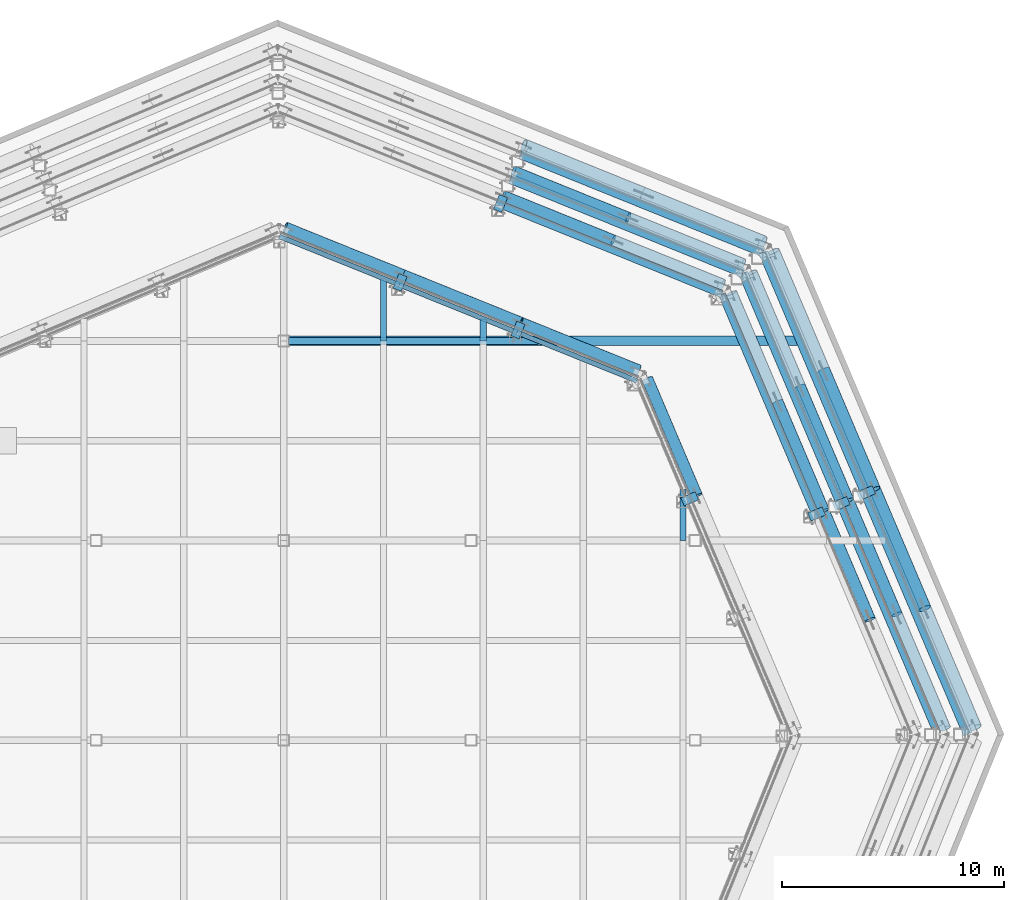
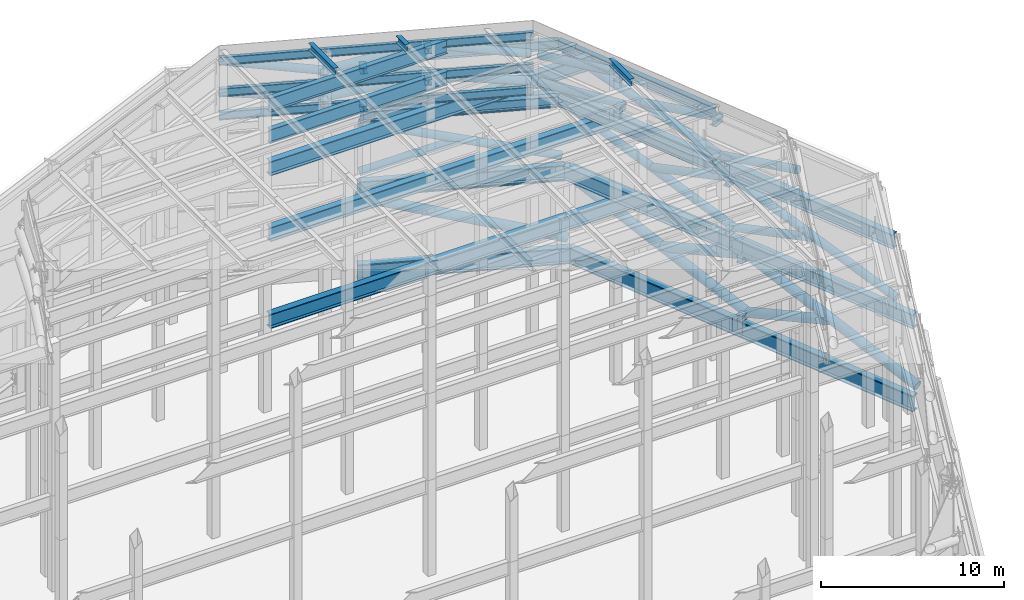
# One storey, part 12 of 19: 38 members, 32 beams.
"""IFC4 building model written with IfcOpenShell, lengths in metres."""

import ifcopenshell
import ifcopenshell.guid

model = None  # the IFC model being written
_history = None  # IfcOwnerHistory: only IFC2X3 demands one
_inside = {}  # id of a spatial element -> (the spatial element, [elements in it])
_under = {}  # id of a project, library or spatial element -> (it, [spatial elements below it])
_declared = {}  # id of a project -> (the project, [libraries it declares])
_typed = {}  # id of a type object -> (the type object, [elements of that type])
_made_of = {}  # id of a material, layer set ... -> (it, [elements and type objects made of it])


def new_model(schema):
    """Start an empty IFC model of exactly this schema.

    Asked for "IFC4X3", IfcOpenShell would pick the latest addendum, in which some entities
    have other attributes; the version numbers below select the first issue.
    IFC2X3 requires an IfcOwnerHistory on every rooted entity: one is made here for all.
    """
    global model, _history
    if schema == "IFC4X3":
        model = ifcopenshell.file(schema_version=(4, 3, 0, 0))
    else:
        model = ifcopenshell.file(schema=schema)
    _inside.clear()
    _under.clear()
    _declared.clear()
    _typed.clear()
    _made_of.clear()
    _history = None
    if model.schema == "IFC2X3":
        org = make("IfcOrganization", Name="unknown")
        user = make(
            "IfcPersonAndOrganization",
            ThePerson=make("IfcPerson", FamilyName="unknown"),
            TheOrganization=org,
        )
        app = make(
            "IfcApplication",
            ApplicationDeveloper=org,
            Version="unknown",
            ApplicationFullName="unknown",
            ApplicationIdentifier="unknown",
        )
        _history = make(
            "IfcOwnerHistory",
            OwningUser=user,
            OwningApplication=app,
            ChangeAction="ADDED",
            CreationDate=0,
        )
    return model


def make(cls, **values):
    """One entity of the class cls with the attributes given. An attribute that is None is left unset."""
    return model.create_entity(
        cls, **{name: value for name, value in values.items() if value is not None}
    )


def rooted(cls, **values):
    """An entity with a GlobalId (a new one), such as an element, a storey or a relation."""
    return make(cls, GlobalId=ifcopenshell.guid.new(), OwnerHistory=_history, **values)


def si_unit(unit_type, name, prefix=None):
    """IfcSIUnit, for example si_unit("LENGTHUNIT", "METRE", prefix="MILLI")."""
    return make("IfcSIUnit", UnitType=unit_type, Prefix=prefix, Name=name)


def assignment(units):
    """IfcUnitAssignment: the units of a project."""
    return None if units is None else make("IfcUnitAssignment", Units=units)


def point(xyz):
    """IfcCartesianPoint."""
    return None if xyz is None else make("IfcCartesianPoint", Coordinates=xyz)


def direction(xyz):
    """IfcDirection."""
    return None if xyz is None else make("IfcDirection", DirectionRatios=xyz)


def frame(location, z_axis=None, x_axis=None):
    """IfcAxis2Placement3D, a coordinate frame: its origin and axes. An axis left out is left unset."""
    return make(
        "IfcAxis2Placement3D",
        Location=point(location),
        Axis=direction(z_axis),
        RefDirection=direction(x_axis),
    )


def frame_2d(location, x_axis=None):
    """IfcAxis2Placement2D, a coordinate frame in the plane: its origin and x axis."""
    return make(
        "IfcAxis2Placement2D", Location=point(location), RefDirection=direction(x_axis)
    )


def origin():
    """The frame at (0, 0, 0) with its axes left unset."""
    return frame((0.0, 0.0, 0.0))


def origin_2d():
    """The frame at (0, 0) in the plane with its x axis left unset."""
    return frame_2d((0.0, 0.0))


def place(relative_to, where):
    """IfcLocalPlacement: puts the frame where relative to a parent placement (None: the world)."""
    return make(
        "IfcLocalPlacement", PlacementRelTo=relative_to, RelativePlacement=where
    )


def context(
    kind, dimensions, precision=None, world=None, true_north=None, identifier=None
):
    """IfcGeometricRepresentationContext, for example the 3D "Model" context."""
    return make(
        "IfcGeometricRepresentationContext",
        ContextIdentifier=identifier,
        ContextType=kind,
        CoordinateSpaceDimension=dimensions,
        Precision=precision,
        WorldCoordinateSystem=world,
        TrueNorth=true_north,
    )


def subcontext(parent, identifier, kind, view, scale=None):
    """IfcGeometricRepresentationSubContext, for example "Body" below "Model"."""
    return make(
        "IfcGeometricRepresentationSubContext",
        ContextIdentifier=identifier,
        ContextType=kind,
        ParentContext=parent,
        TargetScale=scale,
        TargetView=view,
    )


def project(units=None, contexts=None):
    """IfcProject with its units and contexts."""
    return rooted(
        "IfcProject",
        Name="project",
        RepresentationContexts=contexts,
        UnitsInContext=assignment(units),
    )


def spatial(cls, under=None, at=None, **own):
    """A site, building, storey or space (cls), placed at a placement, below another one or the project."""
    s = rooted(cls, ObjectPlacement=at, **own)
    if under is not None:
        _under.setdefault(under.id(), (under, []))[1].append(s)
    return s


def profile(cls, at=None, kind="AREA", **sizes):
    """A parametric profile (cls). Its sizes go by their IFC names, for example OverallWidth=200.0."""
    return make(cls, ProfileType=kind, Position=at, **sizes)


def hollow_circle(**sizes):
    """IfcCircleHollowProfileDef."""
    return profile("IfcCircleHollowProfileDef", **sizes)


def i_section(**sizes):
    """IfcIShapeProfileDef."""
    return profile("IfcIShapeProfileDef", **sizes)


def extrude(swept, where, along, depth):
    """IfcExtrudedAreaSolid: the profile swept, set in the frame where, extruded along a direction by depth."""
    return make(
        "IfcExtrudedAreaSolid",
        SweptArea=swept,
        Position=where,
        ExtrudedDirection=direction(along),
        Depth=depth,
    )


def shape(context_of_items, identifier, shape_type, items):
    """IfcShapeRepresentation: the items that make up one representation, for example the "Body"."""
    return make(
        "IfcShapeRepresentation",
        ContextOfItems=context_of_items,
        RepresentationIdentifier=identifier,
        RepresentationType=shape_type,
        Items=items,
    )


def material(Name=None, Category=None):
    """IfcMaterial."""
    return make("IfcMaterial", Name=Name, Category=Category)


def material_profile(
    of_material, cross_section, Name=None, Category=None, Priority=None
):
    """IfcMaterialProfile: a cross section and its material."""
    return make(
        "IfcMaterialProfile",
        Name=Name,
        Material=of_material,
        Profile=cross_section,
        Priority=Priority,
        Category=Category,
    )


def profile_set(profiles, Name=None, composite=None):
    """IfcMaterialProfileSet."""
    return make(
        "IfcMaterialProfileSet",
        Name=Name,
        MaterialProfiles=profiles,
        CompositeProfile=composite,
    )


def made_of(thing, what):
    """Note that an element or type object is made of a material, layer set ...; save() writes the relation."""
    if what is not None:
        _made_of.setdefault(what.id(), (what, []))[1].append(thing)
    return thing


def type_object(cls, material=None, **own):
    """A type object (cls), such as IfcWallType, which elements share."""
    return made_of(rooted(cls, **own), material)


def element(
    cls,
    number,
    at=None,
    inside=None,
    cuts=None,
    type_object=None,
    material=None,
    context=None,
    identifier="Body",
    shape_type=None,
    held_by="IfcProductDefinitionShape",
    body=None,
    shapes=None,
    **own,
):
    """One element of the class cls, such as IfcWall. Its Tag is "e" and its number.

    at: its placement. inside: the storey or other place that contains it. cuts: it is an
    opening in that element (IfcRelVoidsElement). A single representation is given by context,
    identifier, shape_type and body (its items); several are given by shapes. held_by: the class
    of the entity that holds the representations. save() writes the other relations.
    """
    e = rooted(cls, Tag="e%d" % number, ObjectPlacement=at, **own)
    if body is not None:
        shapes = [shape(context, identifier, shape_type, body)]
    if shapes is not None:
        e.Representation = make(held_by, Representations=shapes)
    if inside is not None:
        _inside.setdefault(inside.id(), (inside, []))[1].append(e)
    if cuts is not None:
        rooted(
            "IfcRelVoidsElement", RelatingBuildingElement=cuts, RelatedOpeningElement=e
        )
    if type_object is not None:
        _typed.setdefault(type_object.id(), (type_object, []))[1].append(e)
    return made_of(e, material)


def aggregate(whole, parts):
    """IfcRelAggregates: a whole, such as a stair, and the parts it consists of."""
    return rooted("IfcRelAggregates", RelatingObject=whole, RelatedObjects=parts)


def save(model, path):
    """Write the relations noted so far, then the file.

    IfcRelAggregates (storeys below a building ...), IfcRelContainedInSpatialStructure (elements
    in a storey), IfcRelDefinesByType, IfcRelAssociatesMaterial and IfcRelDeclares: one each for
    every whole, place, type object, material and project.
    """
    for whole, parts in _under.values():
        aggregate(whole, parts)
    for where, things in _inside.values():
        rooted(
            "IfcRelContainedInSpatialStructure",
            RelatedElements=things,
            RelatingStructure=where,
        )
    for kind, things in _typed.values():
        rooted("IfcRelDefinesByType", RelatedObjects=things, RelatingType=kind)
    for what, things in _made_of.values():
        rooted("IfcRelAssociatesMaterial", RelatedObjects=things, RelatingMaterial=what)
    for by, libraries in _declared.values():
        rooted("IfcRelDeclares", RelatingContext=by, RelatedDefinitions=libraries)
    model.write(path)


model = new_model("IFC4")

# Units and contexts
model_context = context("Model", 3, precision=1e-05, world=origin(), true_north=direction((0.0, 1.0)))
body_context = subcontext(model_context, "Body", "Model", "MODEL_VIEW")
ifc_project = project(units=[si_unit("LENGTHUNIT", "METRE"), si_unit("AREAUNIT", "SQUARE_METRE"), si_unit("VOLUMEUNIT", "CUBIC_METRE"), si_unit("PLANEANGLEUNIT", "RADIAN"), si_unit("MASSUNIT", "GRAM", prefix="KILO")], contexts=[model_context])

# Site, building, storey
site_placement = place(None, origin())
site = spatial("IfcSite", under=ifc_project, at=site_placement, CompositionType="ELEMENT")
building_placement = place(site_placement, origin())
building = spatial("IfcBuilding", under=site, at=building_placement, Name="Orlundy Tower", CompositionType="ELEMENT")
storey_placement = place(building_placement, frame((0.0, 0.0, 304.300048828125)))
storey = spatial("IfcBuildingStorey", under=building, at=storey_placement, Name="Roof", CompositionType="ELEMENT", Elevation=304.300048828125)

# Beams
ifc_material_1 = material(Name="Steel ASTM A992 Gr 50", Category="steel")
ifc_material_profile_1 = material_profile(ifc_material_1, i_section(OverallWidth=0.2802734375, OverallDepth=0.46240234375, WebThickness=0.0107421875, FlangeThickness=0.017333984375, at=origin_2d()), Name="W18X76")
ifc_profile_set_1 = profile_set([ifc_material_profile_1], Name="Steel ASTM A992 Gr 50")
beam_type_1 = type_object("IfcBeamType", Name="CROWN FRAME beam W18X76", PredefinedType="BEAM", material=ifc_profile_set_1)
beam_1_placement = place(storey_placement, frame((4.5, 18.0, 21.131103515625), z_axis=(0.0, 1.0, 0.0), x_axis=(-1.0, 0.0, 0.0)))
element("IfcBeam", 1, at=beam_1_placement, inside=storey, type_object=beam_type_1, Name="CROWN FRAME secondary beam 07F", PredefinedType="BEAM", context=body_context, shape_type="SweptSolid", body=[
    extrude(i_section(OverallWidth=0.2802734375, OverallDepth=0.46240234375, WebThickness=0.0107421875, FlangeThickness=0.017333984375, at=origin_2d()), origin(), (0.0, 0.0, 1.0), 2.81689453125),
])
beam_2_placement = place(storey_placement, frame((9.0, 18.0, 21.131103515625), z_axis=(0.0, 1.0, 0.0), x_axis=(-1.0, 0.0, 0.0)))
element("IfcBeam", 2, at=beam_2_placement, inside=storey, type_object=beam_type_1, Name="CROWN FRAME secondary beam 08F", PredefinedType="BEAM", context=body_context, shape_type="SweptSolid", body=[
    extrude(i_section(OverallWidth=0.2802734375, OverallDepth=0.46240234375, WebThickness=0.0107421875, FlangeThickness=0.017333984375, at=origin_2d()), origin(), (0.0, 0.0, 1.0), 0.998779296875),
])
beam_3_placement = place(storey_placement, frame((18.0, 9.0, 21.131103515625), z_axis=(0.0, 1.0, 0.0), x_axis=(-1.0, 0.0, 0.0)))
element("IfcBeam", 3, at=beam_3_placement, inside=storey, type_object=beam_type_1, Name="CROWN FRAME secondary beam 10D", PredefinedType="BEAM", context=body_context, shape_type="SweptSolid", body=[
    extrude(i_section(OverallWidth=0.2802734375, OverallDepth=0.46240234375, WebThickness=0.0107421875, FlangeThickness=0.017333984375, at=origin_2d()), origin(), (0.0, 0.0, 1.0), 2.306640625),
])
ifc_material_2 = material(Name="Steel ASTM A992 Gr 50", Category="steel")
ifc_material_profile_2 = material_profile(ifc_material_2, i_section(OverallWidth=0.2138671875, OverallDepth=0.549072265625, WebThickness=0.0146484375, FlangeThickness=0.023681640625, at=origin_2d()), Name="W21X93")
ifc_profile_set_2 = profile_set([ifc_material_profile_2], Name="Steel ASTM A992 Gr 50")
beam_type_2 = type_object("IfcBeamType", Name="CROWN FRAME beam W21X93", PredefinedType="BEAM", material=ifc_profile_set_2)
beam_4_placement = place(storey_placement, frame((15.921875, 16.202392578125, 16.974365234375), z_axis=(-0.927191485456, 0.374587705748, 0.0), x_axis=(-0.374587705748, -0.927191485456, 0.0)))
element("IfcBeam", 4, at=beam_4_placement, inside=storey, type_object=beam_type_2, Name="CROWN FRAME foot ring beam 4-01", PredefinedType="BEAM", context=body_context, shape_type="SweptSolid", body=[
    extrude(i_section(OverallWidth=0.2138671875, OverallDepth=0.549072265625, WebThickness=0.0146484375, FlangeThickness=0.023681640625, at=origin_2d()), origin(), (0.0, 0.0, 1.0), 5.82861328125),
])
beam_5_placement = place(storey_placement, frame((10.517578125, 18.3857421875, 16.974365234375), z_axis=(-0.927189754333, 0.374591990651, 0.0), x_axis=(-0.374591990651, -0.927189754333, 0.0)))
element("IfcBeam", 5, at=beam_5_placement, inside=storey, type_object=beam_type_2, Name="CROWN FRAME foot ring beam 4-02", PredefinedType="BEAM", context=body_context, shape_type="SweptSolid", body=[
    extrude(i_section(OverallWidth=0.2138671875, OverallDepth=0.549072265625, WebThickness=0.0146484375, FlangeThickness=0.023681640625, at=origin_2d()), origin(), (0.0, 0.0, 1.0), 5.72900390625),
])
for number, where, z_axis, x_axis, name in (
    (6, (5.205810546875, 20.53173828125, 16.974365234375), (-0.927191485456, 0.374587705748, 0.0), (-0.374587705748, -0.927191485456, 0.0), "CROWN FRAME foot ring beam 4-03"),
    (7, (15.921875, 16.202392578125, 18.525390625), (-0.927191485456, 0.374587705748, 0.0), (-0.374587705748, -0.927191485456, 0.0), "CROWN FRAME head ring beam 4-01"),
):
    element("IfcBeam", number, at=place(storey_placement, frame(where, z_axis=z_axis, x_axis=x_axis)), inside=storey, type_object=beam_type_2, Name=name, PredefinedType="BEAM", context=body_context, shape_type="SweptSolid", body=[
        extrude(i_section(OverallWidth=0.2138671875, OverallDepth=0.549072265625, WebThickness=0.0146484375, FlangeThickness=0.023681640625, at=origin_2d()), origin(), (0.0, 0.0, 1.0), 5.82861328125),
    ])
beam_6_placement = place(storey_placement, frame((10.517578125, 18.3857421875, 18.525390625), z_axis=(-0.927189754333, 0.374591990651, 0.0), x_axis=(-0.374591990651, -0.927189754333, 0.0)))
element("IfcBeam", 8, at=beam_6_placement, inside=storey, type_object=beam_type_2, Name="CROWN FRAME head ring beam 4-02", PredefinedType="BEAM", context=body_context, shape_type="SweptSolid", body=[
    extrude(i_section(OverallWidth=0.2138671875, OverallDepth=0.549072265625, WebThickness=0.0146484375, FlangeThickness=0.023681640625, at=origin_2d()), origin(), (0.0, 0.0, 1.0), 5.72900390625),
])
for number, where, z_axis, x_axis, name in (
    (9, (5.205810546875, 20.53173828125, 18.525390625), (-0.927191485456, 0.374587705748, 0.0), (-0.374587705748, -0.927191485456, 0.0), "CROWN FRAME head ring beam 4-03"),
    (10, (15.921875, 16.202392578125, 20.62548828125), (-0.927191485456, 0.374587705748, 0.0), (-0.374587705748, -0.927191485456, 0.0), "CROWN FRAME head ring beam 5-01"),
):
    element("IfcBeam", number, at=place(storey_placement, frame(where, z_axis=z_axis, x_axis=x_axis)), inside=storey, type_object=beam_type_2, Name=name, PredefinedType="BEAM", context=body_context, shape_type="SweptSolid", body=[
        extrude(i_section(OverallWidth=0.2138671875, OverallDepth=0.549072265625, WebThickness=0.0146484375, FlangeThickness=0.023681640625, at=origin_2d()), origin(), (0.0, 0.0, 1.0), 5.82861328125),
    ])
beam_7_placement = place(storey_placement, frame((10.517578125, 18.3857421875, 20.62548828125), z_axis=(-0.927189754333, 0.374591990651, 0.0), x_axis=(-0.374591990651, -0.927189754333, 0.0)))
element("IfcBeam", 11, at=beam_7_placement, inside=storey, type_object=beam_type_2, Name="CROWN FRAME head ring beam 5-02", PredefinedType="BEAM", context=body_context, shape_type="SweptSolid", body=[
    extrude(i_section(OverallWidth=0.2138671875, OverallDepth=0.549072265625, WebThickness=0.0146484375, FlangeThickness=0.023681640625, at=origin_2d()), origin(), (0.0, 0.0, 1.0), 5.72900390625),
])
beam_8_placement = place(storey_placement, frame((5.205810546875, 20.53173828125, 20.62548828125), z_axis=(-0.927191485456, 0.374587705748, 0.0), x_axis=(-0.374587705748, -0.927191485456, 0.0)))
element("IfcBeam", 12, at=beam_8_placement, inside=storey, type_object=beam_type_2, Name="CROWN FRAME head ring beam 5-03", PredefinedType="BEAM", context=body_context, shape_type="SweptSolid", body=[
    extrude(i_section(OverallWidth=0.2138671875, OverallDepth=0.549072265625, WebThickness=0.0146484375, FlangeThickness=0.023681640625, at=origin_2d()), origin(), (0.0, 0.0, 1.0), 5.82861328125),
])
ifc_material_3 = material(Name="Steel ASTM A992 Gr 50", Category="steel")
ifc_material_profile_3 = material_profile(ifc_material_3, i_section(OverallWidth=0.3291015625, OverallDepth=0.635009765625, WebThickness=0.017822265625, FlangeThickness=0.031005859375, at=origin_2d()), Name="W24X162")
ifc_profile_set_3 = profile_set([ifc_material_profile_3], Name="Steel ASTM A992 Gr 50")
beam_type_3 = type_object("IfcBeamType", Name="CROWN FRAME beam W24X162", PredefinedType="BEAM", material=ifc_profile_set_3)
for number, where, z_axis, x_axis, name in (
    (13, (19.7587890625, 20.10693359375, 12.617431640625), (-0.927183496705, 0.374607479154, 0.0), (-0.374607479154, -0.927183496705, 0.0), "CROWN FRAME foot ring beam 3-01"),
    (14, (23.97412109375, 10.176513671875, 12.617431640625), (-0.39074046412, 0.920500890656, 0.0), (-0.920500890656, -0.39074046412, 0.0), "CROWN FRAME foot ring beam 3-16"),
    (15, (19.7587890625, 20.10693359375, 16.382568359375), (-0.927183496705, 0.374607479154, 0.0), (-0.374607479154, -0.927183496705, 0.0), "CROWN FRAME head ring beam 3-01"),
    (16, (23.97412109375, 10.176513671875, 16.382568359375), (-0.39074046412, 0.920500890656, 0.0), (-0.920500890656, -0.39074046412, 0.0), "CROWN FRAME head ring beam 3-16"),
):
    element("IfcBeam", number, at=place(storey_placement, frame(where, z_axis=z_axis, x_axis=x_axis)), inside=storey, type_object=beam_type_3, Name=name, PredefinedType="BEAM", context=body_context, shape_type="SweptSolid", body=[
        extrude(i_section(OverallWidth=0.3291015625, OverallDepth=0.635009765625, WebThickness=0.017822265625, FlangeThickness=0.031005859375, at=origin_2d()), origin(), (0.0, 0.0, 1.0), 10.7880859375),
    ])
ifc_material_4 = material(Name="Steel ASTM A992 Gr 50", Category="steel")
ifc_material_profile_4 = material_profile(ifc_material_4, i_section(OverallWidth=0.3076171875, OverallDepth=0.9267578125, WebThickness=0.01953125, FlangeThickness=0.031982421875, at=origin_2d()), Name="W36X194")
ifc_profile_set_4 = profile_set([ifc_material_profile_4], Name="Steel ASTM A992 Gr 50")
beam_type_4 = type_object("IfcBeamType", Name="CROWN FRAME beam W36X194", PredefinedType="BEAM", material=ifc_profile_set_4)
for number, where, z_axis, x_axis, name in (
    (17, (0.228515625, 18.0, 18.336669921875), (1.0, 0.0, 0.0), (0.0, 1.0, 0.0), "CROWN FRAME primary beam 5B frame 4"),
    (18, (0.228515625, 18.0, 20.4365234375), (1.0, 0.0, 0.0), (0.0, 1.0, 0.0), "CROWN FRAME primary beam 5B frame 5"),
):
    element("IfcBeam", number, at=place(storey_placement, frame(where, z_axis=z_axis, x_axis=x_axis)), inside=storey, type_object=beam_type_4, Name=name, PredefinedType="BEAM", context=body_context, shape_type="SweptSolid", body=[
        extrude(i_section(OverallWidth=0.3076171875, OverallDepth=0.9267578125, WebThickness=0.01953125, FlangeThickness=0.031982421875, at=origin_2d()), origin(), (0.0, 0.0, 1.0), 11.243896484375),
    ])
ifc_material_5 = material(Name="Steel ASTM A992 Gr 50", Category="steel")
ifc_material_profile_5 = material_profile(ifc_material_5, i_section(OverallWidth=0.423095703125, OverallDepth=0.947265625, WebThickness=0.02392578125, FlangeThickness=0.042724609375, at=origin_2d()), Name="W36X302")
ifc_profile_set_5 = profile_set([ifc_material_profile_5], Name="Steel ASTM A992 Gr 50")
beam_type_5 = type_object("IfcBeamType", Name="CROWN FRAME beam W36X302", PredefinedType="BEAM", material=ifc_profile_set_5)
beam_9_placement = place(storey_placement, frame((21.615234375, 21.99609375, 6.0263671875), z_axis=(-0.927184224004, 0.374605679026, 0.0), x_axis=(-0.374605679026, -0.927184224004, 0.0)))
element("IfcBeam", 19, at=beam_9_placement, inside=storey, type_object=beam_type_5, Name="CROWN FRAME head ring beam 1-01", PredefinedType="BEAM", context=body_context, shape_type="SweptSolid", body=[
    extrude(i_section(OverallWidth=0.423095703125, OverallDepth=0.947265625, WebThickness=0.02392578125, FlangeThickness=0.042724609375, at=origin_2d()), origin(), (0.0, 0.0, 1.0), 11.801513671875),
])
beam_10_placement = place(storey_placement, frame((30.837890625, 0.269287109375, 6.0263671875), z_axis=(-0.390733654412, 0.920503781258, 0.0), x_axis=(-0.920503781258, -0.390733654412, 0.0)))
element("IfcBeam", 20, at=beam_10_placement, inside=storey, type_object=beam_type_5, Name="CROWN FRAME head ring beam 1-15", PredefinedType="BEAM", context=body_context, shape_type="SweptSolid", body=[
    extrude(i_section(OverallWidth=0.423095703125, OverallDepth=0.947265625, WebThickness=0.02392578125, FlangeThickness=0.042724609375, at=origin_2d()), origin(), (0.0, 0.0, 1.0), 11.8017578125),
])
beam_11_placement = place(storey_placement, frame((26.2265625, 11.1328125, 6.0263671875), z_axis=(-0.390741095026, 0.920500622845, 0.0), x_axis=(-0.920500622845, -0.390741095026, 0.0)))
element("IfcBeam", 21, at=beam_11_placement, inside=storey, type_object=beam_type_5, Name="CROWN FRAME head ring beam 1-16", PredefinedType="BEAM", context=body_context, shape_type="SweptSolid", body=[
    extrude(i_section(OverallWidth=0.423095703125, OverallDepth=0.947265625, WebThickness=0.02392578125, FlangeThickness=0.042724609375, at=origin_2d()), origin(), (0.0, 0.0, 1.0), 11.801513671875),
])
for number, where, z_axis, x_axis, name in (
    (22, (20.704833984375, 21.069580078125, 6.9736328125), (-0.927188759701, 0.374594452553, 0.0), (-0.374594452553, -0.927188759701, 0.0), "CROWN FRAME foot ring beam 2-01"),
    (23, (25.121826171875, 10.663818359375, 6.9736328125), (-0.390731757698, 0.920504586369, 0.0), (-0.920504586369, -0.390731757698, 0.0), "CROWN FRAME foot ring beam 2-16"),
    (24, (20.704833984375, 21.069580078125, 11.826416015625), (-0.927188759701, 0.374594452553, 0.0), (-0.374594452553, -0.927188759701, 0.0), "CROWN FRAME head ring beam 2-01"),
):
    element("IfcBeam", number, at=place(storey_placement, frame(where, z_axis=z_axis, x_axis=x_axis)), inside=storey, type_object=beam_type_5, Name=name, PredefinedType="BEAM", context=body_context, shape_type="SweptSolid", body=[
        extrude(i_section(OverallWidth=0.423095703125, OverallDepth=0.947265625, WebThickness=0.02392578125, FlangeThickness=0.042724609375, at=origin_2d()), origin(), (0.0, 0.0, 1.0), 11.304443359375),
    ])
beam_12_placement = place(storey_placement, frame((29.5390625, 0.2578125, 11.826416015625), z_axis=(-0.390742289299, 0.92050011589, 0.0), x_axis=(-0.92050011589, -0.390742289299, 0.0)))
element("IfcBeam", 25, at=beam_12_placement, inside=storey, type_object=beam_type_5, Name="CROWN FRAME head ring beam 2-15", PredefinedType="BEAM", context=body_context, shape_type="SweptSolid", body=[
    extrude(i_section(OverallWidth=0.423095703125, OverallDepth=0.947265625, WebThickness=0.02392578125, FlangeThickness=0.042724609375, at=origin_2d()), origin(), (0.0, 0.0, 1.0), 11.3046875),
])
beam_13_placement = place(storey_placement, frame((25.121826171875, 10.663818359375, 11.826416015625), z_axis=(-0.390731757698, 0.920504586369, 0.0), x_axis=(-0.920504586369, -0.390731757698, 0.0)))
element("IfcBeam", 26, at=beam_13_placement, inside=storey, type_object=beam_type_5, Name="CROWN FRAME head ring beam 2-16", PredefinedType="BEAM", context=body_context, shape_type="SweptSolid", body=[
    extrude(i_section(OverallWidth=0.423095703125, OverallDepth=0.947265625, WebThickness=0.02392578125, FlangeThickness=0.042724609375, at=origin_2d()), origin(), (0.0, 0.0, 1.0), 11.304443359375),
])
beam_14_placement = place(storey_placement, frame((0.228515625, 18.0, 6.0263671875), z_axis=(1.0, 0.0, 0.0), x_axis=(0.0, 1.0, 0.0)))
element("IfcBeam", 27, at=beam_14_placement, inside=storey, type_object=beam_type_5, Name="CROWN FRAME primary beam 5C frame 1", PredefinedType="BEAM", context=body_context, shape_type="SweptSolid", body=[
    extrude(i_section(OverallWidth=0.423095703125, OverallDepth=0.947265625, WebThickness=0.02392578125, FlangeThickness=0.042724609375, at=origin_2d()), origin(), (0.0, 0.0, 1.0), 23.082763671875),
])
beam_15_placement = place(storey_placement, frame((0.228515625, 18.0, 11.826416015625), z_axis=(1.0, 0.0, 0.0), x_axis=(0.0, 1.0, 0.0)))
element("IfcBeam", 28, at=beam_15_placement, inside=storey, type_object=beam_type_5, Name="CROWN FRAME primary beam 5C frame 2", PredefinedType="BEAM", context=body_context, shape_type="SweptSolid", body=[
    extrude(i_section(OverallWidth=0.423095703125, OverallDepth=0.947265625, WebThickness=0.02392578125, FlangeThickness=0.042724609375, at=origin_2d()), origin(), (0.0, 0.0, 1.0), 21.779296875),
])
beam_16_placement = place(storey_placement, frame((0.228515625, 18.0, 16.226318359375), z_axis=(1.0, 0.0, 0.0), x_axis=(0.0, 1.0, 0.0)))
element("IfcBeam", 29, at=beam_16_placement, inside=storey, type_object=beam_type_5, Name="CROWN FRAME primary beam 5C frame 3", PredefinedType="BEAM", context=body_context, shape_type="SweptSolid", body=[
    extrude(i_section(OverallWidth=0.423095703125, OverallDepth=0.947265625, WebThickness=0.02392578125, FlangeThickness=0.042724609375, at=origin_2d()), origin(), (0.0, 0.0, 1.0), 20.4248046875),
])
ifc_material_6 = material(Name="Steel ASTM A992 Gr 50", Category="steel")
ifc_material_profile_6 = material_profile(ifc_material_6, i_section(OverallWidth=0.41650390625, OverallDepth=1.068115234375, WebThickness=0.0390625, FlangeThickness=0.070068359375, at=origin_2d()), Name="W40X503")
ifc_profile_set_6 = profile_set([ifc_material_profile_6], Name="Steel ASTM A992 Gr 50")
beam_type_6 = type_object("IfcBeamType", Name="CROWN FRAME beam W40X503", PredefinedType="BEAM", material=ifc_profile_set_6)
for number, where, z_axis, x_axis, name in (
    (30, (21.61279296875, 21.99365234375, 0.533935546875), (-0.927184079381, 0.374606036981, 0.0), (-0.374606036981, -0.927184079381, 0.0), "CROWN FRAME foot ring beam 1-01"),
    (31, (30.834228515625, 0.269287109375, 0.533935546875), (-0.390725710556, 0.92050715321, 0.0), (-0.92050715321, -0.390725710556, 0.0), "CROWN FRAME foot ring beam 1-15"),
):
    element("IfcBeam", number, at=place(storey_placement, frame(where, z_axis=z_axis, x_axis=x_axis)), inside=storey, type_object=beam_type_6, Name=name, PredefinedType="BEAM", context=body_context, shape_type="SweptSolid", body=[
        extrude(i_section(OverallWidth=0.41650390625, OverallDepth=1.068115234375, WebThickness=0.0390625, FlangeThickness=0.070068359375, at=origin_2d()), origin(), (0.0, 0.0, 1.0), 11.800048828125),
    ])
beam_17_placement = place(storey_placement, frame((26.2236328125, 11.13134765625, 0.533935546875), z_axis=(-0.390735799974, 0.920502870511, 0.0), x_axis=(-0.920502870511, -0.390735799974, 0.0)))
element("IfcBeam", 32, at=beam_17_placement, inside=storey, type_object=beam_type_6, Name="CROWN FRAME foot ring beam 1-16", PredefinedType="BEAM", context=body_context, shape_type="SweptSolid", body=[
    extrude(i_section(OverallWidth=0.41650390625, OverallDepth=1.068115234375, WebThickness=0.0390625, FlangeThickness=0.070068359375, at=origin_2d()), origin(), (0.0, 0.0, 1.0), 11.80029296875),
])

# Members
ifc_material_7 = material(Name="Steel ASTM A500 Gr C", Category="steel")
ifc_material_profile_7 = material_profile(ifc_material_7, hollow_circle(Radius=0.25390625, WallThickness=0.01171875, at=origin_2d()), Name="HSS20.000X0.500")
ifc_profile_set_7 = profile_set([ifc_material_profile_7], Name="Steel ASTM A500 Gr C")
member_type_1 = type_object("IfcMemberType", Name="CROWN FRAME diagonal HSS20.000X0.500", PredefinedType="BRACE", material=ifc_profile_set_7)
member_1_placement = place(storey_placement, frame((20.7080078125, 21.459228515625, 7.7470703125), z_axis=(-0.889016102704, 0.359180206537, 0.283971738673), x_axis=(-0.374601559882, -0.927185888231, 0.0)))
element("IfcMember", 33, at=member_1_placement, inside=storey, type_object=member_type_1, Name="CROWN FRAME brace 2-01a", PredefinedType="BRACE", context=body_context, shape_type="SweptSolid", body=[
    extrude(hollow_circle(Radius=0.25390625, WallThickness=0.01171875, at=origin_2d()), origin(), (0.0, 0.0, 1.0), 11.640869140625),
])
member_2_placement = place(storey_placement, frame((10.359130859375, 25.640380859375, 7.7470703125), z_axis=(0.889020499537, -0.359173509674, 0.283966444061), x_axis=(0.374593962885, 0.927188957532, 0.0)))
element("IfcMember", 34, at=member_2_placement, inside=storey, type_object=member_type_1, Name="CROWN FRAME brace 2-01ba", PredefinedType="BRACE", context=body_context, shape_type="SweptSolid", body=[
    extrude(hollow_circle(Radius=0.25390625, WallThickness=0.01171875, at=origin_2d()), origin(), (0.0, 0.0, 1.0), 5.820556640625),
])
member_3_placement = place(storey_placement, frame((29.816650390625, 0.53125, 7.7470703125), z_axis=(-0.374642232115, 0.882610370828, 0.283975582088), x_axis=(-0.920506219917, -0.390727909284, 0.0)))
element("IfcMember", 35, at=member_3_placement, inside=storey, type_object=member_type_1, Name="CROWN FRAME brace 2-15a", PredefinedType="BRACE", context=body_context, shape_type="SweptSolid", body=[
    extrude(hollow_circle(Radius=0.25390625, WallThickness=0.01171875, at=origin_2d()), origin(), (0.0, 0.0, 1.0), 11.640625),
])
member_4_placement = place(storey_placement, frame((25.45556640625, 10.805419921875, 7.7470703125), z_axis=(0.374667196634, -0.882598800311, 0.283978607391), x_axis=(0.920495012787, 0.390754310832, 0.0)))
element("IfcMember", 36, at=member_4_placement, inside=storey, type_object=member_type_1, Name="CROWN FRAME brace 2-15ba", PredefinedType="BRACE", context=body_context, shape_type="SweptSolid", body=[
    extrude(hollow_circle(Radius=0.25390625, WallThickness=0.01171875, at=origin_2d()), origin(), (0.0, 0.0, 1.0), 5.8203125),
])
member_5_placement = place(storey_placement, frame((25.45556640625, 10.805419921875, 7.7470703125), z_axis=(-0.374642232115, 0.882610370828, 0.283975582088), x_axis=(-0.920506219917, -0.390727909284, 0.0)))
element("IfcMember", 37, at=member_5_placement, inside=storey, type_object=member_type_1, Name="CROWN FRAME brace 2-16a", PredefinedType="BRACE", context=body_context, shape_type="SweptSolid", body=[
    extrude(hollow_circle(Radius=0.25390625, WallThickness=0.01171875, at=origin_2d()), origin(), (0.0, 0.0, 1.0), 11.640625),
])
member_6_placement = place(storey_placement, frame((23.27490234375, 15.9423828125, 9.39990234375), z_axis=(0.374667196634, -0.882598800311, 0.283978607391), x_axis=(0.920495012787, 0.390754310832, 0.0)))
element("IfcMember", 38, at=member_6_placement, inside=storey, type_object=member_type_1, Name="CROWN FRAME brace 2-16bb", PredefinedType="BRACE", context=body_context, shape_type="SweptSolid", body=[
    extrude(hollow_circle(Radius=0.25390625, WallThickness=0.01171875, at=origin_2d()), origin(), (0.0, 0.0, 1.0), 5.8203125),
])
member_7_placement = place(storey_placement, frame((19.797607421875, 20.532958984375, 13.23486328125), z_axis=(-0.902147436253, 0.364480839965, 0.230832667882), x_axis=(-0.374597418943, -0.927187561242, 0.0)))
element("IfcMember", 39, at=member_7_placement, inside=storey, type_object=member_type_1, Name="CROWN FRAME brace 3-01a", PredefinedType="BRACE", context=body_context, shape_type="SweptSolid", body=[
    extrude(hollow_circle(Radius=0.25390625, WallThickness=0.01171875, at=origin_2d()), origin(), (0.0, 0.0, 1.0), 10.96044921875),
])
for number, where, z_axis, x_axis, name in (
    (40, (9.90966796875, 24.52783203125, 13.23486328125), (0.902131326643, -0.364505605659, 0.23085652023), (0.374625050896, 0.927176397047, 0.0), "CROWN FRAME brace 3-01ba"),
    (41, (24.35107421875, 10.33642578125, 13.23486328125), (0.380189985283, -0.895633872055, 0.230858273229), (0.920498952892, 0.390745029048, 0.0), "CROWN FRAME brace 3-15ba"),
):
    element("IfcMember", number, at=place(storey_placement, frame(where, z_axis=z_axis, x_axis=x_axis)), inside=storey, type_object=member_type_1, Name=name, PredefinedType="BRACE", context=body_context, shape_type="SweptSolid", body=[
        extrude(hollow_circle(Radius=0.25390625, WallThickness=0.01171875, at=origin_2d()), origin(), (0.0, 0.0, 1.0), 5.480224609375),
    ])
member_8_placement = place(storey_placement, frame((24.35107421875, 10.33642578125, 13.23486328125), z_axis=(-0.380184355408, 0.895642884147, 0.23083257998), x_axis=(-0.920502448188, -0.390736794889, 0.0)))
element("IfcMember", 42, at=member_8_placement, inside=storey, type_object=member_type_1, Name="CROWN FRAME brace 3-16a", PredefinedType="BRACE", context=body_context, shape_type="SweptSolid", body=[
    extrude(hollow_circle(Radius=0.25390625, WallThickness=0.01171875, at=origin_2d()), origin(), (0.0, 0.0, 1.0), 10.96044921875),
])
member_9_placement = place(storey_placement, frame((22.267578125, 15.244873046875, 14.5), z_axis=(0.380178725407, -0.895651895279, 0.230806887314), x_axis=(0.920505943264, 0.390728561045, 0.0)))
element("IfcMember", 43, at=member_9_placement, inside=storey, type_object=member_type_1, Name="CROWN FRAME brace 3-16bb", PredefinedType="BRACE", context=body_context, shape_type="SweptSolid", body=[
    extrude(hollow_circle(Radius=0.25390625, WallThickness=0.01171875, at=origin_2d()), origin(), (0.0, 0.0, 1.0), 5.480224609375),
])
for number, where, z_axis, x_axis, name in (
    (44, (16.00439453125, 16.6728515625, 17.299072265625), (-0.915910251797, 0.370034982456, 0.15550730662), (-0.374591990651, -0.927189754333, 0.0), "CROWN FRAME brace 4-01a"),
    (45, (5.380859375, 20.96484375, 17.299072265625), (0.915910251797, -0.370034982456, 0.15550730662), (0.374591990651, 0.927189754333, 0.0), "CROWN FRAME brace 4-02b"),
    (46, (5.380859375, 20.96484375, 17.299072265625), (-0.915910251797, 0.370034982456, 0.15550730662), (-0.374591990651, -0.927189754333, 0.0), "CROWN FRAME brace 4-03a"),
):
    element("IfcMember", number, at=place(storey_placement, frame(where, z_axis=z_axis, x_axis=x_axis)), inside=storey, type_object=member_type_1, Name=name, PredefinedType="BRACE", context=body_context, shape_type="SweptSolid", body=[
        extrude(hollow_circle(Radius=0.25390625, WallThickness=0.01171875, at=origin_2d()), origin(), (0.0, 0.0, 1.0), 5.799560546875),
    ])
member_10_placement = place(storey_placement, frame((16.390869140625, 16.29296875, 17.299072265625), z_axis=(0.385954221838, -0.909316229461, 0.155509914427), x_axis=(0.920514908677, 0.390707439016, 0.0)))
element("IfcMember", 47, at=member_10_placement, inside=storey, type_object=member_type_1, Name="CROWN FRAME brace 4-24b", PredefinedType="BRACE", context=body_context, shape_type="SweptSolid", body=[
    extrude(hollow_circle(Radius=0.25390625, WallThickness=0.01171875, at=origin_2d()), origin(), (0.0, 0.0, 1.0), 5.79931640625),
])
for number, where, z_axis, x_axis, name in (
    (48, (16.00439453125, 16.6728515625, 19.099853515625), (-0.90746558564, 0.366623270569, 0.20516722047), (-0.374591990651, -0.927189754333, 0.0), "CROWN FRAME brace 5-01a"),
    (49, (5.380859375, 20.96484375, 19.099853515625), (0.90746558564, -0.366623270569, 0.20516722047), (0.374591990651, 0.927189754333, 0.0), "CROWN FRAME brace 5-02b"),
    (50, (5.380859375, 20.96484375, 19.099853515625), (-0.90746558564, 0.366623270569, 0.20516722047), (-0.374591990651, -0.927189754333, 0.0), "CROWN FRAME brace 5-03a"),
):
    element("IfcMember", number, at=place(storey_placement, frame(where, z_axis=z_axis, x_axis=x_axis)), inside=storey, type_object=member_type_1, Name=name, PredefinedType="BRACE", context=body_context, shape_type="SweptSolid", body=[
        extrude(hollow_circle(Radius=0.25390625, WallThickness=0.01171875, at=origin_2d()), origin(), (0.0, 0.0, 1.0), 5.853515625),
    ])
member_11_placement = place(storey_placement, frame((16.390869140625, 16.29296875, 19.099853515625), z_axis=(0.382395617318, -0.900932082685, 0.205170597904), x_axis=(0.920514908677, 0.390707439016, 0.0)))
element("IfcMember", 51, at=member_11_placement, inside=storey, type_object=member_type_1, Name="CROWN FRAME brace 5-24b", PredefinedType="BRACE", context=body_context, shape_type="SweptSolid", body=[
    extrude(hollow_circle(Radius=0.25390625, WallThickness=0.01171875, at=origin_2d()), origin(), (0.0, 0.0, 1.0), 5.853271484375),
])
ifc_material_8 = material(Name="Steel ASTM A1085 Gr A", Category="steel")
ifc_material_profile_8 = material_profile(ifc_material_8, hollow_circle(Radius=0.3046875, WallThickness=0.023681640625, at=origin_2d()), Name="HSS24.000X1.000")
ifc_profile_set_8 = profile_set([ifc_material_profile_8], Name="Steel ASTM A1085 Gr A")
member_type_2 = type_object("IfcMemberType", Name="CROWN FRAME diagonal HSS24.000X1.000", PredefinedType="BRACE", material=ifc_profile_set_8)
member_12_placement = place(storey_placement, frame((21.63720703125, 22.432861328125, 1.3681640625), z_axis=(-0.879640684096, 0.355392717269, 0.316114351771), x_axis=(-0.374601892002, -0.927185754047, 0.0)))
element("IfcMember", 52, at=member_12_placement, inside=storey, type_object=member_type_2, Name="CROWN FRAME brace 1-01a", PredefinedType="BRACE", context=body_context, shape_type="SweptSolid", body=[
    extrude(hollow_circle(Radius=0.3046875, WallThickness=0.023681640625, at=origin_2d()), origin(), (0.0, 0.0, 1.0), 12.288330078125),
])
member_13_placement = place(storey_placement, frame((31.162353515625, 0.5625, 1.3681640625), z_axis=(-0.370701907246, 0.873302092117, 0.316106867795), x_axis=(-0.920502138174, -0.390737525222, 0.0)))
element("IfcMember", 53, at=member_13_placement, inside=storey, type_object=member_type_2, Name="CROWN FRAME brace 1-15a", PredefinedType="BRACE", context=body_context, shape_type="SweptSolid", body=[
    extrude(hollow_circle(Radius=0.3046875, WallThickness=0.023681640625, at=origin_2d()), origin(), (0.0, 0.0, 1.0), 12.28857421875),
])
member_14_placement = place(storey_placement, frame((26.60693359375, 11.294189453125, 1.3681640625), z_axis=(0.37068066643, -0.873318723065, 0.316085829291), x_axis=(0.920512866825, 0.390712249629, 0.0)))
element("IfcMember", 54, at=member_14_placement, inside=storey, type_object=member_type_2, Name="CROWN FRAME brace 1-15ba", PredefinedType="BRACE", context=body_context, shape_type="SweptSolid", body=[
    extrude(hollow_circle(Radius=0.3046875, WallThickness=0.023681640625, at=origin_2d()), origin(), (0.0, 0.0, 1.0), 6.144287109375),
])
member_15_placement = place(storey_placement, frame((26.60693359375, 11.294189453125, 1.3681640625), z_axis=(-0.370701907246, 0.873302092117, 0.316106867795), x_axis=(-0.920502138174, -0.390737525222, 0.0)))
element("IfcMember", 55, at=member_15_placement, inside=storey, type_object=member_type_2, Name="CROWN FRAME brace 1-16a", PredefinedType="BRACE", context=body_context, shape_type="SweptSolid", body=[
    extrude(hollow_circle(Radius=0.3046875, WallThickness=0.023681640625, at=origin_2d()), origin(), (0.0, 0.0, 1.0), 12.28857421875),
])
member_16_placement = place(storey_placement, frame((24.329345703125, 16.659912109375, 3.310302734375), z_axis=(0.370688873441, -0.873298323559, 0.316132562664), x_axis=(0.920506472994, 0.390727313066, 0.0)))
element("IfcMember", 56, at=member_16_placement, inside=storey, type_object=member_type_2, Name="CROWN FRAME brace 1-16bb", PredefinedType="BRACE", context=body_context, shape_type="SweptSolid", body=[
    extrude(hollow_circle(Radius=0.3046875, WallThickness=0.023681640625, at=origin_2d()), origin(), (0.0, 0.0, 1.0), 6.144287109375),
])
ifc_material_9 = material(Name="Steel ASTM A992 Gr 50", Category="steel")
ifc_material_profile_9 = material_profile(ifc_material_9, i_section(OverallWidth=0.39892578125, OverallDepth=0.393310546875, WebThickness=0.022705078125, FlangeThickness=0.03662109375, at=origin_2d()), Name="W14X193")
ifc_profile_set_9 = profile_set([ifc_material_profile_9], Name="Steel ASTM A992 Gr 50")
member_type_3 = type_object("IfcMemberType", Name="CROWN FRAME strut W14X193", PredefinedType="STRUT", material=ifc_profile_set_9)
for number, where, z_axis, x_axis, name in (
    (57, (25.908447265625, 10.997802734375, 5.252685546875), (0.9205537351, 0.390615950511, 0.0), (-0.390615950511, 0.9205537351, 0.0), "CROWN FRAME brace connector 1-15A1"),
    (58, (25.908447265625, 10.997802734375, 1.3681640625), (0.9205537351, 0.390615950511, 0.0), (-0.390615950511, 0.9205537351, 0.0), "CROWN FRAME brace connector 1-15B0"),
):
    element("IfcMember", number, at=place(storey_placement, frame(where, z_axis=z_axis, x_axis=x_axis)), inside=storey, type_object=member_type_3, Name=name, PredefinedType="STRUT", context=body_context, shape_type="SweptSolid", body=[
        extrude(i_section(OverallWidth=0.39892578125, OverallDepth=0.393310546875, WebThickness=0.022705078125, FlangeThickness=0.03662109375, at=origin_2d()), origin(), (0.0, 0.0, 1.0), 0.7587890625),
    ])
for number, where, z_axis, x_axis, name in (
    (59, (24.803955078125, 10.52880859375, 11.052734375), (0.920495337048, 0.390753546975, 0.0), (-0.390753546975, 0.920495337048, 0.0), "CROWN FRAME brace connector 2-15A1"),
    (60, (24.803955078125, 10.52880859375, 7.7470703125), (0.920495337048, 0.390753546975, 0.0), (-0.390753546975, 0.920495337048, 0.0), "CROWN FRAME brace connector 2-15B0"),
    (61, (9.64453125, 23.871337890625, 15.764892578125), (0.374480153744, 0.927234929482, 0.0), (-0.927234929482, 0.374480153744, 0.0), "CROWN FRAME brace connector 3-01A1"),
    (62, (9.64453125, 23.871337890625, 13.23486328125), (0.374480153744, 0.927234929482, 0.0), (-0.927234929482, 0.374480153744, 0.0), "CROWN FRAME brace connector 3-01B0"),
    (63, (23.69921875, 10.059814453125, 15.764892578125), (0.920547971742, 0.390629532578, 0.0), (-0.390629532578, 0.920547971742, 0.0), "CROWN FRAME brace connector 3-15A1"),
    (64, (23.69921875, 10.059814453125, 13.23486328125), (0.920547971742, 0.390629532578, 0.0), (-0.390629532578, 0.920547971742, 0.0), "CROWN FRAME brace connector 3-15B0"),
    (65, (10.42724609375, 18.162353515625, 18.200927734375), (0.374776564809, 0.927115163542, 0.0), (-0.927115163542, 0.374776564809, 0.0), "CROWN FRAME brace connector 4-01A1"),
    (66, (5.115478515625, 20.308349609375, 17.299072265625), (0.374776564809, 0.927115163542, 0.0), (-0.927115163542, 0.374776564809, 0.0), "CROWN FRAME brace connector 4-02B0"),
    (67, (17.9775390625, 10.742919921875, 18.200927734375), (0.920495337048, 0.390753546975, 0.0), (-0.390753546975, 0.920495337048, 0.0), "CROWN FRAME brace connector 4-23A1"),
    (68, (10.42724609375, 18.162353515625, 20.30078125), (0.374776564809, 0.927115163542, 0.0), (-0.927115163542, 0.374776564809, 0.0), "CROWN FRAME brace connector 5-01A1"),
    (69, (5.115478515625, 20.308349609375, 19.099853515625), (0.374776564809, 0.927115163542, 0.0), (-0.927115163542, 0.374776564809, 0.0), "CROWN FRAME brace connector 5-02B0"),
    (70, (17.9775390625, 10.742919921875, 20.30078125), (0.920495337048, 0.390753546975, 0.0), (-0.390753546975, 0.920495337048, 0.0), "CROWN FRAME brace connector 5-23A1"),
):
    element("IfcMember", number, at=place(storey_placement, frame(where, z_axis=z_axis, x_axis=x_axis)), inside=storey, type_object=member_type_3, Name=name, PredefinedType="STRUT", context=body_context, shape_type="SweptSolid", body=[
        extrude(i_section(OverallWidth=0.39892578125, OverallDepth=0.393310546875, WebThickness=0.022705078125, FlangeThickness=0.03662109375, at=origin_2d()), origin(), (0.0, 0.0, 1.0), 0.7080078125),
    ])

save(model, "model.ifc")
